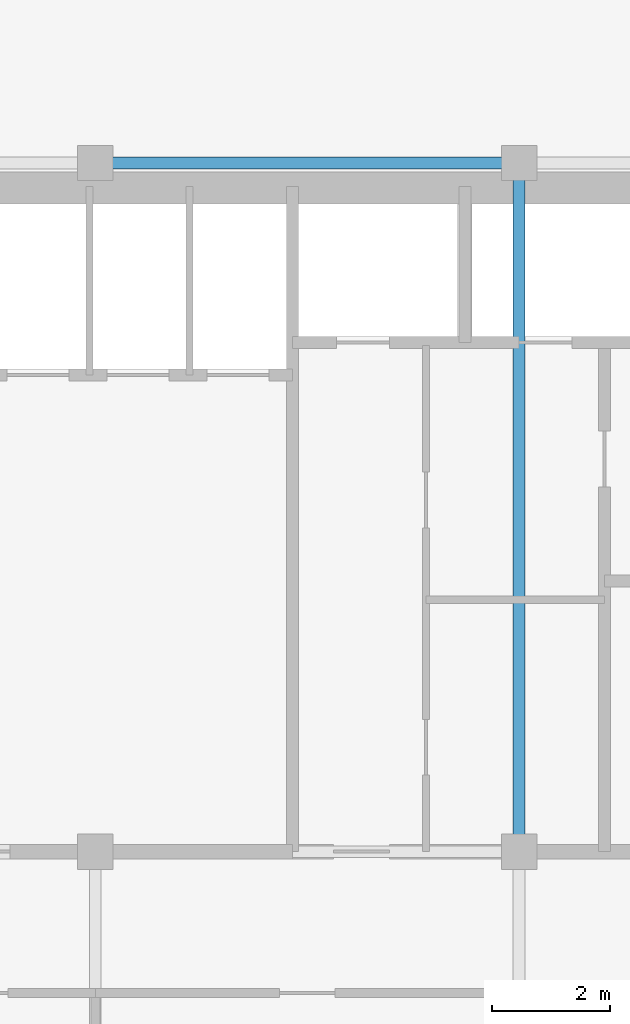
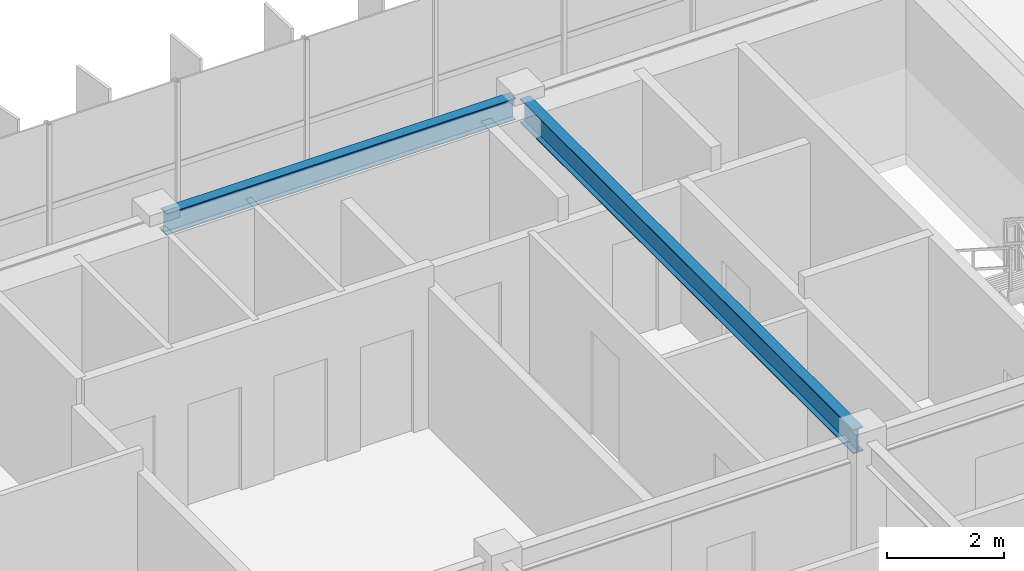
# One storey, part 10 of 23: 2 beams.
"""IFC4 building model written with IfcOpenShell, lengths in metres."""

import ifcopenshell
import ifcopenshell.guid

model = None  # the IFC model being written
_history = None  # IfcOwnerHistory: only IFC2X3 demands one
_inside = {}  # id of a spatial element -> (the spatial element, [elements in it])
_under = {}  # id of a project, library or spatial element -> (it, [spatial elements below it])
_declared = {}  # id of a project -> (the project, [libraries it declares])
_typed = {}  # id of a type object -> (the type object, [elements of that type])
_made_of = {}  # id of a material, layer set ... -> (it, [elements and type objects made of it])


def new_model(schema):
    """Start an empty IFC model of exactly this schema.

    Asked for "IFC4X3", IfcOpenShell would pick the latest addendum, in which some entities
    have other attributes; the version numbers below select the first issue.
    IFC2X3 requires an IfcOwnerHistory on every rooted entity: one is made here for all.
    """
    global model, _history
    if schema == "IFC4X3":
        model = ifcopenshell.file(schema_version=(4, 3, 0, 0))
    else:
        model = ifcopenshell.file(schema=schema)
    _inside.clear()
    _under.clear()
    _declared.clear()
    _typed.clear()
    _made_of.clear()
    _history = None
    if model.schema == "IFC2X3":
        org = make("IfcOrganization", Name="unknown")
        user = make(
            "IfcPersonAndOrganization",
            ThePerson=make("IfcPerson", FamilyName="unknown"),
            TheOrganization=org,
        )
        app = make(
            "IfcApplication",
            ApplicationDeveloper=org,
            Version="unknown",
            ApplicationFullName="unknown",
            ApplicationIdentifier="unknown",
        )
        _history = make(
            "IfcOwnerHistory",
            OwningUser=user,
            OwningApplication=app,
            ChangeAction="ADDED",
            CreationDate=0,
        )
    return model


def make(cls, **values):
    """One entity of the class cls with the attributes given. An attribute that is None is left unset."""
    return model.create_entity(
        cls, **{name: value for name, value in values.items() if value is not None}
    )


def rooted(cls, **values):
    """An entity with a GlobalId (a new one), such as an element, a storey or a relation."""
    return make(cls, GlobalId=ifcopenshell.guid.new(), OwnerHistory=_history, **values)


def si_unit(unit_type, name, prefix=None):
    """IfcSIUnit, for example si_unit("LENGTHUNIT", "METRE", prefix="MILLI")."""
    return make("IfcSIUnit", UnitType=unit_type, Prefix=prefix, Name=name)


def assignment(units):
    """IfcUnitAssignment: the units of a project."""
    return None if units is None else make("IfcUnitAssignment", Units=units)


def point(xyz):
    """IfcCartesianPoint."""
    return None if xyz is None else make("IfcCartesianPoint", Coordinates=xyz)


def direction(xyz):
    """IfcDirection."""
    return None if xyz is None else make("IfcDirection", DirectionRatios=xyz)


def frame(location, z_axis=None, x_axis=None):
    """IfcAxis2Placement3D, a coordinate frame: its origin and axes. An axis left out is left unset."""
    return make(
        "IfcAxis2Placement3D",
        Location=point(location),
        Axis=direction(z_axis),
        RefDirection=direction(x_axis),
    )


def frame_2d(location, x_axis=None):
    """IfcAxis2Placement2D, a coordinate frame in the plane: its origin and x axis."""
    return make(
        "IfcAxis2Placement2D", Location=point(location), RefDirection=direction(x_axis)
    )


def origin():
    """The frame at (0, 0, 0) with its axes left unset."""
    return frame((0.0, 0.0, 0.0))


def origin_2d():
    """The frame at (0, 0) in the plane with its x axis left unset."""
    return frame_2d((0.0, 0.0))


def place(relative_to, where):
    """IfcLocalPlacement: puts the frame where relative to a parent placement (None: the world)."""
    return make(
        "IfcLocalPlacement", PlacementRelTo=relative_to, RelativePlacement=where
    )


def context(
    kind, dimensions, precision=None, world=None, true_north=None, identifier=None
):
    """IfcGeometricRepresentationContext, for example the 3D "Model" context."""
    return make(
        "IfcGeometricRepresentationContext",
        ContextIdentifier=identifier,
        ContextType=kind,
        CoordinateSpaceDimension=dimensions,
        Precision=precision,
        WorldCoordinateSystem=world,
        TrueNorth=true_north,
    )


def subcontext(parent, identifier, kind, view, scale=None):
    """IfcGeometricRepresentationSubContext, for example "Body" below "Model"."""
    return make(
        "IfcGeometricRepresentationSubContext",
        ContextIdentifier=identifier,
        ContextType=kind,
        ParentContext=parent,
        TargetScale=scale,
        TargetView=view,
    )


def project(units=None, contexts=None):
    """IfcProject with its units and contexts."""
    return rooted(
        "IfcProject",
        Name="project",
        RepresentationContexts=contexts,
        UnitsInContext=assignment(units),
    )


def spatial(cls, under=None, at=None, **own):
    """A site, building, storey or space (cls), placed at a placement, below another one or the project."""
    s = rooted(cls, ObjectPlacement=at, **own)
    if under is not None:
        _under.setdefault(under.id(), (under, []))[1].append(s)
    return s


def profile(cls, at=None, kind="AREA", **sizes):
    """A parametric profile (cls). Its sizes go by their IFC names, for example OverallWidth=200.0."""
    return make(cls, ProfileType=kind, Position=at, **sizes)


def i_section(**sizes):
    """IfcIShapeProfileDef."""
    return profile("IfcIShapeProfileDef", **sizes)


def extrude(swept, where, along, depth):
    """IfcExtrudedAreaSolid: the profile swept, set in the frame where, extruded along a direction by depth."""
    return make(
        "IfcExtrudedAreaSolid",
        SweptArea=swept,
        Position=where,
        ExtrudedDirection=direction(along),
        Depth=depth,
    )


def shape(context_of_items, identifier, shape_type, items):
    """IfcShapeRepresentation: the items that make up one representation, for example the "Body"."""
    return make(
        "IfcShapeRepresentation",
        ContextOfItems=context_of_items,
        RepresentationIdentifier=identifier,
        RepresentationType=shape_type,
        Items=items,
    )


def source(mapping_origin, context_of_items, identifier, shape_type, items):
    """IfcRepresentationMap: a shape defined once, which mapped items show again and again."""
    return make(
        "IfcRepresentationMap",
        MappingOrigin=mapping_origin,
        MappedRepresentation=shape(context_of_items, identifier, shape_type, items),
    )


def transform(
    local_origin,
    x_axis=None,
    y_axis=None,
    z_axis=None,
    scale=None,
    scale2=None,
    scale3=None,
    uniform=True,
):
    """IfcCartesianTransformationOperator3D, or its non-uniform kind. x_axis, y_axis, z_axis: its Axis1, 2, 3."""
    if uniform:
        return make(
            "IfcCartesianTransformationOperator3D",
            Axis1=direction(x_axis),
            Axis2=direction(y_axis),
            LocalOrigin=point(local_origin),
            Scale=scale,
            Axis3=direction(z_axis),
        )
    return make(
        "IfcCartesianTransformationOperator3DnonUniform",
        Axis1=direction(x_axis),
        Axis2=direction(y_axis),
        LocalOrigin=point(local_origin),
        Scale=scale,
        Axis3=direction(z_axis),
        Scale2=scale2,
        Scale3=scale3,
    )


def mapped(mapping_source, mapping_target):
    """IfcMappedItem: shows the shape of a source again, moved by a transform."""
    return make(
        "IfcMappedItem", MappingSource=mapping_source, MappingTarget=mapping_target
    )


def material(Name=None, Category=None):
    """IfcMaterial."""
    return make("IfcMaterial", Name=Name, Category=Category)


def material_profile(
    of_material, cross_section, Name=None, Category=None, Priority=None
):
    """IfcMaterialProfile: a cross section and its material."""
    return make(
        "IfcMaterialProfile",
        Name=Name,
        Material=of_material,
        Profile=cross_section,
        Priority=Priority,
        Category=Category,
    )


def profile_set(profiles, Name=None, composite=None):
    """IfcMaterialProfileSet."""
    return make(
        "IfcMaterialProfileSet",
        Name=Name,
        MaterialProfiles=profiles,
        CompositeProfile=composite,
    )


def made_of(thing, what):
    """Note that an element or type object is made of a material, layer set ...; save() writes the relation."""
    if what is not None:
        _made_of.setdefault(what.id(), (what, []))[1].append(thing)
    return thing


def type_object(cls, material=None, **own):
    """A type object (cls), such as IfcWallType, which elements share."""
    return made_of(rooted(cls, **own), material)


def element(
    cls,
    number,
    at=None,
    inside=None,
    cuts=None,
    type_object=None,
    material=None,
    context=None,
    identifier="Body",
    shape_type=None,
    held_by="IfcProductDefinitionShape",
    body=None,
    shapes=None,
    **own,
):
    """One element of the class cls, such as IfcWall. Its Tag is "e" and its number.

    at: its placement. inside: the storey or other place that contains it. cuts: it is an
    opening in that element (IfcRelVoidsElement). A single representation is given by context,
    identifier, shape_type and body (its items); several are given by shapes. held_by: the class
    of the entity that holds the representations. save() writes the other relations.
    """
    e = rooted(cls, Tag="e%d" % number, ObjectPlacement=at, **own)
    if body is not None:
        shapes = [shape(context, identifier, shape_type, body)]
    if shapes is not None:
        e.Representation = make(held_by, Representations=shapes)
    if inside is not None:
        _inside.setdefault(inside.id(), (inside, []))[1].append(e)
    if cuts is not None:
        rooted(
            "IfcRelVoidsElement", RelatingBuildingElement=cuts, RelatedOpeningElement=e
        )
    if type_object is not None:
        _typed.setdefault(type_object.id(), (type_object, []))[1].append(e)
    return made_of(e, material)


def aggregate(whole, parts):
    """IfcRelAggregates: a whole, such as a stair, and the parts it consists of."""
    return rooted("IfcRelAggregates", RelatingObject=whole, RelatedObjects=parts)


def save(model, path):
    """Write the relations noted so far, then the file.

    IfcRelAggregates (storeys below a building ...), IfcRelContainedInSpatialStructure (elements
    in a storey), IfcRelDefinesByType, IfcRelAssociatesMaterial and IfcRelDeclares: one each for
    every whole, place, type object, material and project.
    """
    for whole, parts in _under.values():
        aggregate(whole, parts)
    for where, things in _inside.values():
        rooted(
            "IfcRelContainedInSpatialStructure",
            RelatedElements=things,
            RelatingStructure=where,
        )
    for kind, things in _typed.values():
        rooted("IfcRelDefinesByType", RelatedObjects=things, RelatingType=kind)
    for what, things in _made_of.values():
        rooted("IfcRelAssociatesMaterial", RelatedObjects=things, RelatingMaterial=what)
    for by, libraries in _declared.values():
        rooted("IfcRelDeclares", RelatingContext=by, RelatedDefinitions=libraries)
    model.write(path)


model = new_model("IFC4")

# Units and contexts
model_context = context("Model", 3, precision=1e-05, world=origin(), true_north=direction((0.0, 1.0)))
body_context = subcontext(model_context, "Body", "Model", "MODEL_VIEW")
ifc_project = project(units=[si_unit("LENGTHUNIT", "METRE"), si_unit("AREAUNIT", "SQUARE_METRE"), si_unit("VOLUMEUNIT", "CUBIC_METRE"), si_unit("PLANEANGLEUNIT", "RADIAN"), si_unit("MASSUNIT", "GRAM", prefix="KILO")], contexts=[model_context])

# Site, building, storey
site_placement = place(None, origin())
site = spatial("IfcSite", under=ifc_project, at=site_placement, CompositionType="ELEMENT")
building_placement = place(site_placement, origin())
building = spatial("IfcBuilding", under=site, at=building_placement, Name="Trelvane Seafront Commons", CompositionType="ELEMENT")
storey_placement = place(building_placement, frame((0.0, 0.0, 263.10009765625)))
storey = spatial("IfcBuildingStorey", under=building, at=storey_placement, Name="L68", CompositionType="ELEMENT", Elevation=263.10009765625)

# Beams
ifc_material = material(Name="Steel SM355 (S355)", Category="steel")
ifc_material_profile_1 = material_profile(ifc_material, i_section(OverallWidth=0.199951171875, OverallDepth=0.5, WebThickness=0.010009765625, FlangeThickness=0.01611328125, at=origin_2d()), Name="H-500x200x10x16")
ifc_profile_set_1 = profile_set([ifc_material_profile_1], Name="Steel SM355 (S355)")
beam_type_1 = type_object("IfcBeamType", Name="STR-BM-H500", PredefinedType="BEAM", material=ifc_profile_set_1)
shared_shape_1 = source(origin(), body_context, "Body", "SweptSolid", [
    extrude(i_section(OverallWidth=0.199951171875, OverallDepth=0.5, WebThickness=0.010009765625, FlangeThickness=0.01611328125, at=origin_2d()), origin(), (0.0, 0.0, 1.0), 11.39990234375),
])
beam_1_placement = place(storey_placement, frame((51.0, 33.550048828125, 3.119873046875), z_axis=(0.0, 1.0, 0.0), x_axis=(-1.0, 0.0, 0.0)))
element("IfcBeam", 1, at=beam_1_placement, inside=storey, type_object=beam_type_1, Name="L68 Primary Girder G-46", PredefinedType="BEAM", context=body_context, shape_type="MappedRepresentation", body=[
    mapped(shared_shape_1, transform((0.0, 0.0, 0.0), x_axis=(1.0, 0.0, 0.0), y_axis=(0.0, 1.0, 0.0), z_axis=(0.0, 0.0, 1.0), scale=1.0)),
])
ifc_material_profile_2 = material_profile(ifc_material, i_section(OverallWidth=0.199951171875, OverallDepth=0.449951171875, WebThickness=0.009033203125, FlangeThickness=0.013916015625, at=origin_2d()), Name="H-450x200x9x14")
ifc_profile_set_2 = profile_set([ifc_material_profile_2], Name="Steel SM355 (S355)")
beam_type_2 = type_object("IfcBeamType", Name="STR-SPD-H450", PredefinedType="SPANDREL", material=ifc_profile_set_2)
shared_shape_2 = source(origin(), body_context, "Body", "SweptSolid", [
    extrude(i_section(OverallWidth=0.199951171875, OverallDepth=0.449951171875, WebThickness=0.009033203125, FlangeThickness=0.013916015625, at=origin_2d()), origin(), (0.0, 0.0, 1.0), 6.900146484375),
])
beam_2_placement = place(storey_placement, frame((43.949951171875, 45.10009765625, 3.14501953125), z_axis=(1.0, 0.0, 0.0), x_axis=(0.0, 1.0, 0.0)))
element("IfcBeam", 2, at=beam_2_placement, inside=storey, type_object=beam_type_2, Name="L68 Primary Girder G-26", PredefinedType="SPANDREL", context=body_context, shape_type="MappedRepresentation", body=[
    mapped(shared_shape_2, transform((0.0, 0.0, 0.0), x_axis=(1.0, 0.0, 0.0), y_axis=(0.0, 1.0, 0.0), z_axis=(0.0, 0.0, 1.0), scale=1.0)),
])

save(model, "model.ifc")
